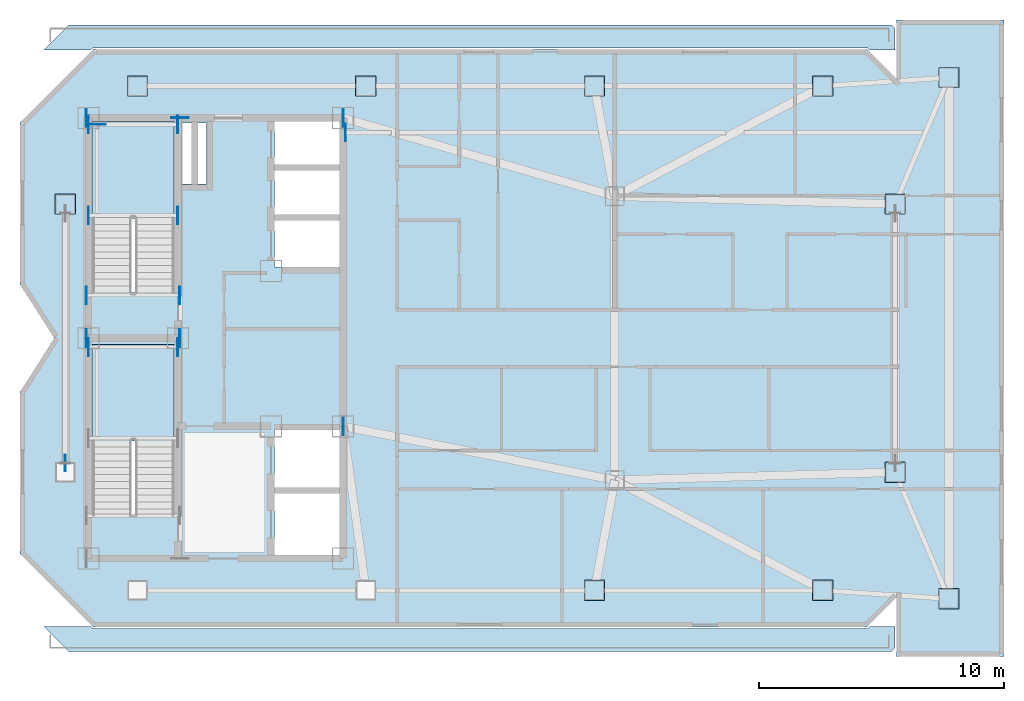
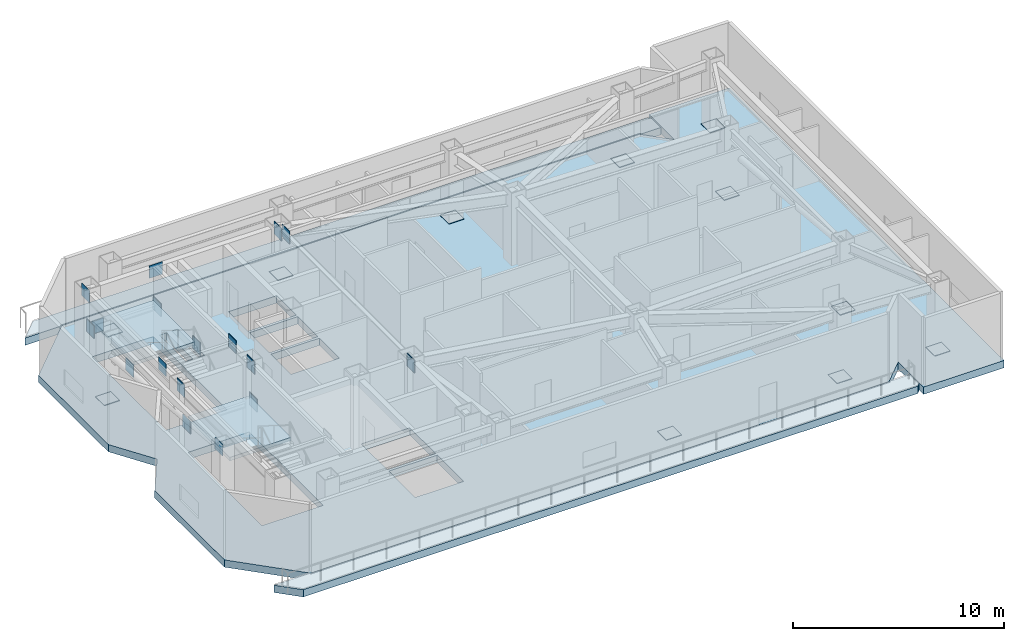
# One storey, part 2 of 10: 28 plates, 5 slabs, 2 elements without a shape of their own.
"""IFC4 building model written with IfcOpenShell, lengths in metres."""

from ifc_helpers import new_model, si_unit, direction, frame, origin, origin_2d, place, context, subcontext, project, spatial, polyline, rectangle, outline, extrude, material, layer, layer_set, type_object, element, aggregate, save


model = new_model("IFC4")

# Units and contexts
model_context = context("Model", 3, precision=1e-05, world=origin(), true_north=direction((0.0, 1.0)))
body_context = subcontext(model_context, "Body", "Model", "MODEL_VIEW")
ifc_project = project(units=[si_unit("LENGTHUNIT", "METRE"), si_unit("AREAUNIT", "SQUARE_METRE"), si_unit("VOLUMEUNIT", "CUBIC_METRE"), si_unit("PLANEANGLEUNIT", "RADIAN"), si_unit("MASSUNIT", "GRAM", prefix="KILO")], contexts=[model_context])

# Site, building, storey
site_placement = place(None, origin())
site = spatial("IfcSite", under=ifc_project, at=site_placement, CompositionType="ELEMENT")
building_placement = place(site_placement, origin())
building = spatial("IfcBuilding", under=site, at=building_placement, Name="Khamvora Tower", CompositionType="ELEMENT")
storey_placement = place(building_placement, frame((0.0, 0.0, 294.64990234375)))
storey = spatial("IfcBuildingStorey", under=building, at=storey_placement, Name="L75", CompositionType="ELEMENT", Elevation=294.64990234375)

# Plates
ifc_material_1 = material(Name="Steel S355", Category="steel")
ifc_layer_1 = layer(ifc_material_1, 0.02490234375)
ifc_layer_set_1 = layer_set([ifc_layer_1], Name="Steel S355")
plate_type_1 = type_object("IfcPlateType", Name="PL-CAP-25", PredefinedType="SHEET", material=ifc_layer_set_1)
for number, where, z_axis, x_axis, name in (
    (1, (49.669921875, 17.699951171875, -0.000244140625), (0.0, 0.0, 1.0), (1.0, 0.0, 0.0), "L75 hollow section steel end cap plate 0338"),
    (2, (59.0, 17.699951171875, -0.000244140625), (0.0, 0.0, 1.0), (1.0, 0.0, 0.0), "L75 hollow section steel end cap plate 0340"),
    (3, (31.0, 38.300048828125, -0.000244140625), (0.0, 0.0, 1.0), (1.0, 0.0, 0.0), "L75 hollow section steel end cap plate 0342"),
    (4, (40.330078125, 38.300048828125, -0.000244140625), (0.0, 0.0, 1.0), (1.0, 0.0, 0.0), "L75 hollow section steel end cap plate 0344"),
    (5, (49.669921875, 38.300048828125, -0.000244140625), (0.0, 0.0, 1.0), (1.0, 0.0, 0.0), "L75 hollow section steel end cap plate 0346"),
    (6, (59.0, 38.300048828125, -0.000244140625), (0.0, 0.0, 1.0), (1.0, 0.0, 0.0), "L75 hollow section steel end cap plate 0348"),
    (7, (28.050048828125, 33.47998046875, -0.000244140625), (0.0, 0.0, 1.0), (1.0, 0.0, 0.0), "L75 hollow section steel end cap plate 0352"),
    (8, (61.949951171875, 22.52001953125, -0.000244140625), (0.0, 0.0, 1.0), (1.0, 0.0, 0.0), "L75 hollow section steel end cap plate 0354"),
    (9, (61.949951171875, 33.47998046875, -0.000244140625), (0.0, 0.0, 1.0), (1.0, 0.0, 0.0), "L75 hollow section steel end cap plate 0356"),
    (10, (64.14990234375, 17.35009765625, -0.000244140625), (0.0, 0.0, 1.0), (1.0, 0.0, 0.0), "L75 hollow section steel end cap plate 0358"),
    (11, (64.14990234375, 38.64990234375, -0.000244140625), (0.0, 0.0, 1.0), (1.0, 0.0, 0.0), "L75 hollow section steel end cap plate 0360"),
):
    element("IfcPlate", number, at=place(storey_placement, frame(where, z_axis=z_axis, x_axis=x_axis)), inside=storey, type_object=plate_type_1, Name=name, PredefinedType="SHEET", context=body_context, shape_type="SweptSolid", body=[
        extrude(rectangle(XDim=0.830078125, YDim=0.830078125, at=origin_2d()), origin(), (0.0, 0.0, 1.0), 0.02490234375),
    ])
ifc_material_2 = material(Name="Steel S460", Category="steel")
ifc_layer_2 = layer(ifc_material_2, 0.034912109375)
ifc_layer_set_2 = layer_set([ifc_layer_2], Name="Steel S460")
plate_type_2 = type_object("IfcPlateType", Name="PL-EMB-35", PredefinedType="SHEET", material=ifc_layer_set_2)
for number, where, z_axis, x_axis, name in (
    (12, (29.0, 27.6298828125, 1.4091796875), (0.0, 0.0, 1.0), (1.0, 0.0, 0.0), "L75 core shear wall cast-in embed plate 2200"),
    (13, (32.64990234375, 27.6298828125, 1.4091796875), (0.0, 0.0, 1.0), (1.0, 0.0, 0.0), "L75 core shear wall cast-in embed plate 2201"),
    (14, (29.0, 33.014892578125, 1.4091796875), (0.0, 0.0, 1.0), (1.0, 0.0, 0.0), "L75 core shear wall cast-in embed plate 2202"),
    (15, (32.64990234375, 33.014892578125, 1.4091796875), (0.0, 0.0, 1.0), (1.0, 0.0, 0.0), "L75 core shear wall cast-in embed plate 2203"),
    (16, (29.0, 36.72998046875, 1.4091796875), (0.0, 0.0, 1.0), (1.0, 0.0, 0.0), "L75 core shear wall cast-in embed plate 2204"),
    (17, (32.64990234375, 36.72998046875, 1.4091796875), (0.0, 0.0, 1.0), (1.0, 0.0, 0.0), "L75 core shear wall cast-in embed plate 2205"),
):
    element("IfcPlate", number, at=place(storey_placement, frame(where, z_axis=z_axis, x_axis=x_axis)), inside=storey, type_object=plate_type_2, Name=name, PredefinedType="SHEET", context=body_context, shape_type="SweptSolid", body=[
        extrude(rectangle(XDim=0.034912109375, YDim=0.719970703125, at=origin_2d()), origin(), (0.0, 0.0, 1.0), 0.719970703125),
    ])
plate_1_placement = place(storey_placement, frame((29.35009765625, 36.72998046875, 1.4091796875), z_axis=(0.0, 0.0, 1.0), x_axis=(1.0, 0.0, 0.0)))
element("IfcPlate", 18, at=plate_1_placement, inside=storey, type_object=plate_type_2, Name="L75 core shear wall cast-in embed plate 2206", PredefinedType="SHEET", context=body_context, shape_type="SweptSolid", body=[
    extrude(rectangle(XDim=0.719970703125, YDim=0.034912109375, at=origin_2d()), origin(), (0.0, 0.0, 1.0), 0.719970703125),
])
for number, where, z_axis, x_axis, name in (
    (19, (39.39990234375, 24.39990234375, 3.2421875), (0.0, 0.0, 1.0), (1.0, 0.0, 0.0), "L75 core shear wall cast-in embed plate 2207"),
    (20, (39.39990234375, 37.0, 3.2421875), (0.0, 0.0, 1.0), (1.0, 0.0, 0.0), "L75 core shear wall cast-in embed plate 2208"),
    (21, (28.89990234375, 28.0, 3.32421875), (0.0, 0.0, 1.0), (1.0, 0.0, 0.0), "L75 core shear wall cast-in embed plate 2210"),
    (22, (28.89990234375, 37.0, 3.32421875), (0.0, 0.0, 1.0), (1.0, 0.0, 0.0), "L75 core shear wall cast-in embed plate 2211"),
    (23, (32.72998046875, 28.0, 3.32421875), (0.0, 0.0, 1.0), (1.0, 0.0, 0.0), "L75 core shear wall cast-in embed plate 2213"),
):
    element("IfcPlate", number, at=place(storey_placement, frame(where, z_axis=z_axis, x_axis=x_axis)), inside=storey, type_object=plate_type_2, Name=name, PredefinedType="SHEET", context=body_context, shape_type="SweptSolid", body=[
        extrude(rectangle(XDim=0.034912109375, YDim=0.719970703125, at=origin_2d()), origin(), (0.0, 0.0, 1.0), 0.719970703125),
    ])
plate_2_placement = place(storey_placement, frame((32.72998046875, 37.0, 3.32421875), z_axis=(0.0, 0.0, 1.0), x_axis=(1.0, 0.0, 0.0)))
element("IfcPlate", 24, at=plate_2_placement, inside=storey, type_object=plate_type_2, Name="L75 core shear wall cast-in embed plate 2214", PredefinedType="SHEET", context=body_context, shape_type="SweptSolid", body=[
    extrude(rectangle(XDim=0.719970703125, YDim=0.034912109375, at=origin_2d()), origin(), (0.0, 0.0, 1.0), 0.719970703125),
])
for number, where, z_axis, x_axis, name in (
    (25, (28.89990234375, 29.75, 3.46435546875), (0.0, 0.0, 1.0), (1.0, 0.0, 0.0), "L75 core shear wall cast-in embed plate 2217"),
    (26, (32.72998046875, 29.75, 3.46435546875), (0.0, 0.0, 1.0), (1.0, 0.0, 0.0), "L75 core shear wall cast-in embed plate 2218"),
    (27, (39.4990234375, 36.39990234375, 3.38720703125), (0.0, 0.0, 1.0), (1.0, 0.0, 0.0), "L75 core shear wall cast-in embed plate 2219"),
):
    element("IfcPlate", number, at=place(storey_placement, frame(where, z_axis=z_axis, x_axis=x_axis)), inside=storey, type_object=plate_type_2, Name=name, PredefinedType="SHEET", context=body_context, shape_type="SweptSolid", body=[
        extrude(rectangle(XDim=0.034912109375, YDim=0.719970703125, at=origin_2d()), origin(), (0.0, 0.0, 1.0), 0.719970703125),
    ])
ifc_layer_3 = layer(ifc_material_2, 0.0400390625)
ifc_layer_set_3 = layer_set([ifc_layer_3], Name="Steel S460")
plate_type_3 = type_object("IfcPlateType", Name="PLT-GUS-40", PredefinedType="SHEET", material=ifc_layer_set_3)
plate_3_placement = place(storey_placement, frame((28.050048828125, 22.903076171875, 3.30908203125), z_axis=(0.0, 0.0, 1.0), x_axis=(0.0, 1.0, 0.0)))
element("IfcPlate", 28, at=plate_3_placement, inside=storey, type_object=plate_type_3, Name="L75 brace connection node gusset plate 0458", PredefinedType="SHEET", context=body_context, shape_type="SweptSolid", body=[
    extrude(rectangle(XDim=0.679931640625, YDim=0.0400390625, at=origin_2d()), origin(), (0.0, 0.0, 1.0), 0.679931640625),
])

# Slabs
ifc_material_3 = material(Name="Concrete C40/50", Category="concrete")
ifc_layer_4 = layer(ifc_material_3, 0.419921875)
ifc_layer_set_4 = layer_set([ifc_layer_4], Name="Concrete C40/50")
slab_type_1 = type_object("IfcSlabType", Name="SLB-BASE-420", PredefinedType="FLOOR", material=ifc_layer_set_4)
slab_1_placement = place(storey_placement, frame((0.0, 0.0, -0.419921875)))
element("IfcSlab", 29, at=slab_1_placement, inside=storey, type_object=slab_type_1, Name="L75 structural floor slab", PredefinedType="FLOOR", context=body_context, shape_type="SweptSolid", body=[
    extrude(outline(polyline([(60.800048828125, 16.199951171875), (29.199951171875, 16.199951171875), (26.199951171875, 19.199951171875), (26.199951171875, 25.800048828125), (27.60009765625, 28.0), (26.199951171875, 30.199951171875), (26.199951171875, 36.800048828125), (29.199951171875, 39.800048828125), (60.800048828125, 39.800048828125), (62.0, 38.60009765625), (62.0, 41.0), (66.39990234375, 41.0), (66.39990234375, 15.0), (62.0, 15.0), (62.0, 17.39990234375), (60.800048828125, 16.199951171875)]), holes=[polyline([(32.5, 20.760009765625), (32.5, 27.75), (29.14990234375, 27.75), (29.14990234375, 20.760009765625), (32.5, 20.760009765625)]), polyline([(32.5, 29.860107421875), (32.5, 36.85009765625), (29.14990234375, 36.85009765625), (29.14990234375, 29.860107421875), (32.5, 29.860107421875)]), polyline([(36.60009765625, 19.14990234375), (39.25, 19.14990234375), (39.25, 21.64990234375), (36.60009765625, 21.64990234375), (36.60009765625, 19.14990234375)]), polyline([(36.60009765625, 21.800048828125), (39.25, 21.800048828125), (39.25, 24.25), (36.60009765625, 24.25), (36.60009765625, 21.800048828125)]), polyline([(36.60009765625, 30.89990234375), (39.25, 30.89990234375), (39.25, 32.800048828125), (36.60009765625, 32.800048828125), (36.60009765625, 30.89990234375)]), polyline([(36.60009765625, 32.949951171875), (39.25, 32.949951171875), (39.25, 34.85009765625), (36.60009765625, 34.85009765625), (36.60009765625, 32.949951171875)]), polyline([(36.60009765625, 35.0), (39.25, 35.0), (39.25, 36.85009765625), (36.60009765625, 36.85009765625), (36.60009765625, 35.0)]), polyline([(32.800048828125, 34.300048828125), (33.199951171875, 34.300048828125), (33.199951171875, 36.800048828125), (32.800048828125, 36.800048828125), (32.800048828125, 34.300048828125)]), polyline([(33.47998046875, 34.300048828125), (33.820068359375, 34.300048828125), (33.820068359375, 36.800048828125), (33.47998046875, 36.800048828125), (33.47998046875, 34.300048828125)])]), origin(), (0.0, 0.0, 1.0), 0.419921875),
])
ifc_layer_5 = layer(ifc_material_3, 0.419921875)
ifc_layer_set_5 = layer_set([ifc_layer_5], Name="Concrete C40/50")
slab_type_2 = type_object("IfcSlabType", Name="SLB-GRD-420", PredefinedType="FLOOR", material=ifc_layer_set_5)
slab_2_placement = place(storey_placement, frame((0.0, 0.0, -0.419921875)))
element("IfcSlab", 30, at=slab_2_placement, inside=storey, type_object=slab_type_2, Name="Stepped outdoor roof terrace slab 1", PredefinedType="FLOOR", context=body_context, shape_type="SweptSolid", body=[
    extrude(outline(polyline([(28.199951171875, 15.199951171875), (27.179931640625, 16.219970703125), (29.094970703125, 16.219970703125), (29.157958984375, 16.157958984375), (29.162109375, 16.154052734375), (29.1669921875, 16.14990234375), (29.172119140625, 16.14697265625), (29.177001953125, 16.14501953125), (29.18310546875, 16.14306640625), (29.18798828125, 16.14111328125), (29.194091796875, 16.139892578125), (29.199951171875, 16.139892578125), (60.800048828125, 16.139892578125), (60.805908203125, 16.139892578125), (60.81201171875, 16.14111328125), (60.81689453125, 16.14306640625), (60.822998046875, 16.14501953125), (60.827880859375, 16.14697265625), (60.8330078125, 16.14990234375), (60.837890625, 16.154052734375), (60.842041015625, 16.157958984375), (60.905029296875, 16.219970703125), (61.93994140625, 16.219970703125), (61.93994140625, 15.340087890625), (61.800048828125, 15.199951171875), (28.199951171875, 15.199951171875)])), origin(), (0.0, 0.0, 1.0), 0.419921875),
])
slab_3_placement = place(storey_placement, frame((0.0, 0.0, -0.419921875)))
element("IfcSlab", 31, at=slab_3_placement, inside=storey, type_object=slab_type_2, Name="Stepped outdoor roof terrace slab 2", PredefinedType="FLOOR", context=body_context, shape_type="SweptSolid", body=[
    extrude(outline(polyline([(28.199951171875, 40.800048828125), (61.800048828125, 40.800048828125), (61.93994140625, 40.659912109375), (61.93994140625, 39.780029296875), (60.905029296875, 39.780029296875), (60.842041015625, 39.842041015625), (60.837890625, 39.845947265625), (60.8330078125, 39.85009765625), (60.827880859375, 39.85302734375), (60.822998046875, 39.85498046875), (60.81689453125, 39.85693359375), (60.81201171875, 39.85888671875), (60.805908203125, 39.860107421875), (60.800048828125, 39.860107421875), (29.199951171875, 39.860107421875), (29.194091796875, 39.860107421875), (29.18798828125, 39.85888671875), (29.18310546875, 39.85693359375), (29.177001953125, 39.85498046875), (29.172119140625, 39.85302734375), (29.1669921875, 39.85009765625), (29.162109375, 39.845947265625), (29.157958984375, 39.842041015625), (29.094970703125, 39.780029296875), (27.179931640625, 39.780029296875), (28.199951171875, 40.800048828125)])), origin(), (0.0, 0.0, 1.0), 0.419921875),
])

# Stair, slab
stair_type_1 = type_object("IfcStairType", Name="STR-ST-01", PredefinedType="HALF_TURN_STAIR", material=ifc_material_3)
stair_1_placement = place(storey_placement, origin())
stair_1 = element("IfcStair", 32, at=stair_1_placement, inside=storey, type_object=stair_type_1, Name="L75 South Tower Exit Stair ST-01", PredefinedType="HALF_TURN_STAIR")
ifc_layer_6 = layer(ifc_material_3, 0.199951171875)
ifc_layer_set_6 = layer_set([ifc_layer_6], Name="Concrete C40/50")
slab_type_3 = type_object("IfcSlabType", Name="SLB-LND-200", PredefinedType="LANDING", material=ifc_layer_set_6)
slab_4_placement = place(storey_placement, frame((0.0, 0.0, 1.900146484375)))
slab_4 = element("IfcSlab", 33, at=slab_4_placement, type_object=slab_type_3, Name="ST-01 landing 1", PredefinedType="LANDING", context=body_context, shape_type="SweptSolid", body=[
    extrude(outline(polyline([(32.5, 23.794921875), (32.5, 27.75), (29.14990234375, 27.75), (29.14990234375, 23.794921875), (32.5, 23.794921875)])), origin(), (0.0, 0.0, 1.0), 0.199951171875),
])
aggregate(stair_1, [slab_4])

stair_type_2 = type_object("IfcStairType", Name="STR-ST-02", PredefinedType="HALF_TURN_STAIR", material=ifc_material_3)
stair_2_placement = place(storey_placement, origin())
stair_2 = element("IfcStair", 34, at=stair_2_placement, inside=storey, type_object=stair_type_2, Name="L75 North Tower Exit Stair ST-02", PredefinedType="HALF_TURN_STAIR")
slab_5_placement = place(storey_placement, frame((0.0, 0.0, 1.900146484375)))
slab_5 = element("IfcSlab", 35, at=slab_5_placement, type_object=slab_type_3, Name="ST-02 landing 1", PredefinedType="LANDING", context=body_context, shape_type="SweptSolid", body=[
    extrude(outline(polyline([(32.5, 32.89501953125), (32.5, 36.85009765625), (29.14990234375, 36.85009765625), (29.14990234375, 32.89501953125), (32.5, 32.89501953125)])), origin(), (0.0, 0.0, 1.0), 0.199951171875),
])
aggregate(stair_2, [slab_5])

save(model, "model.ifc")
